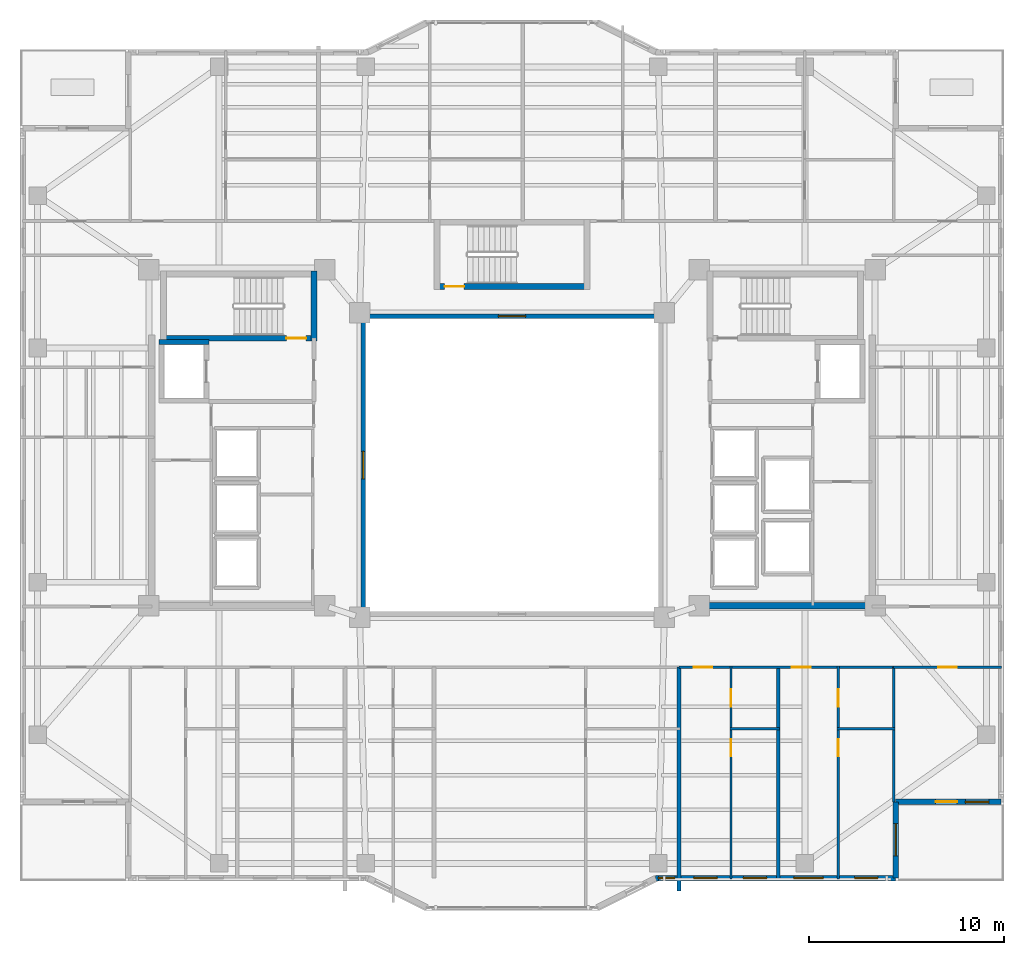
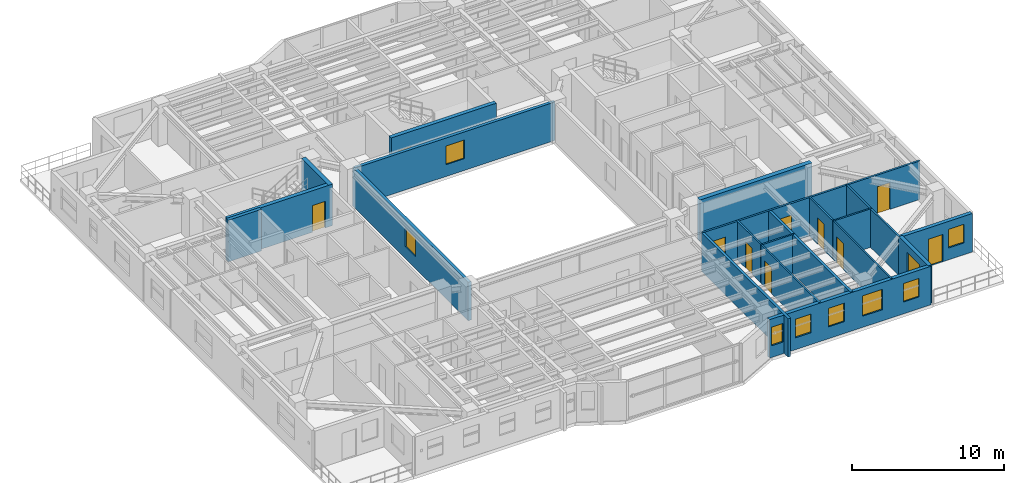
# One storey, part 8 of 17: 21 walls, 10 doors, 9 windows, 19 openings.
"""IFC4 building model written with IfcOpenShell, lengths in metres."""

from ifc_helpers import new_model, si_unit, direction, frame, frame_2d, origin, place, context, subcontext, project, spatial, rectangle, extrude, material, layer, layer_set, type_object, element, fill, save


model = new_model("IFC4")

# Units and contexts
model_context = context("Model", 3, precision=1e-05, world=origin(), true_north=direction((0.0, 1.0)))
body_context = subcontext(model_context, "Body", "Model", "MODEL_VIEW")
ifc_project = project(units=[si_unit("LENGTHUNIT", "METRE"), si_unit("AREAUNIT", "SQUARE_METRE"), si_unit("VOLUMEUNIT", "CUBIC_METRE"), si_unit("PLANEANGLEUNIT", "RADIAN"), si_unit("MASSUNIT", "GRAM", prefix="KILO")], contexts=[model_context])

# Site, building, storey
site_placement = place(None, origin())
site = spatial("IfcSite", under=ifc_project, at=site_placement, CompositionType="ELEMENT")
building_placement = place(site_placement, origin())
building = spatial("IfcBuilding", under=site, at=building_placement, Name="Tarnavaz Court Tower", CompositionType="ELEMENT")
storey_placement = place(building_placement, frame((0.0, 0.0, 132.60009765625)))
storey = spatial("IfcBuildingStorey", under=building, at=storey_placement, Name="L35", CompositionType="ELEMENT", Elevation=132.60009765625)

# Wall
ifc_material_1 = material(Name="Concrete C50/60", Category="concrete")
ifc_layer_1 = layer(ifc_material_1, 0.25)
ifc_layer_set_1 = layer_set([ifc_layer_1], Name="Concrete C50/60")
wall_type_1 = type_object("IfcWallType", Name="WL-CORE-250-C50", PredefinedType="SHEAR", material=ifc_layer_set_1)
wall_1_placement = place(storey_placement, frame((-18.074951171875, 6.300048828125, 0.0), z_axis=(0.0, 0.0, 1.0), x_axis=(1.0, 0.0, 0.0)))
element("IfcWall", 1, at=wall_1_placement, inside=storey, type_object=wall_type_1, Name="L35 Lift FL-W1 Shaft Wall 020", PredefinedType="SHEAR", context=body_context, shape_type="SweptSolid", body=[
    extrude(rectangle(XDim=2.550048828125, YDim=0.25, at=frame_2d((1.27490234375, 0.0))), origin(), (0.0, 0.0, 1.0), 3.349853515625),
])

# Wall, opening, door
ifc_layer_2 = layer(ifc_material_1, 0.300048828125)
ifc_layer_set_2 = layer_set([ifc_layer_2], Name="Concrete C50/60")
wall_type_2 = type_object("IfcWallType", Name="WL-CORE-300-C50", PredefinedType="SHEAR", material=ifc_layer_set_2)
wall_2_placement = place(storey_placement, frame((-18.0, 6.5, 0.0), z_axis=(0.0, 0.0, 1.0), x_axis=(1.0, 0.0, 0.0)))
wall_2 = element("IfcWall", 2, at=wall_2_placement, inside=storey, type_object=wall_type_2, Name="L35 West Stair Core Wall 002", PredefinedType="SHEAR", context=body_context, shape_type="SweptSolid", body=[
    extrude(rectangle(XDim=8.0, YDim=0.300048828125, at=frame_2d((4.0, 0.0))), origin(), (0.0, 0.0, 1.0), 3.349853515625),
])
opening_1_placement = place(wall_2_placement, frame((6.449951171875, 0.0, 0.0)))
opening_1 = element("IfcOpeningElement", 3, at=opening_1_placement, cuts=wall_2, Name="Opening D01", PredefinedType="OPENING", context=body_context, shape_type="SweptSolid", body=[
    extrude(rectangle(XDim=1.0, YDim=2.14990234375, at=frame_2d((0.5, 1.074951171875))), frame((0.0, 0.159912109375, 0.0), z_axis=(0.0, -1.0, 0.0), x_axis=(1.0, 0.0, 0.0)), (0.0, 0.0, 1.0), 0.320068359375),
])
ifc_material_2 = material(Name="Fire-Rated Hardwood Timber Core", Category="wood")
door_type_1 = type_object("IfcDoorType", Name="DR-FD90-1000", OperationType="NOTDEFINED", PredefinedType="DOOR", material=ifc_material_2)
door_1_placement = place(opening_1_placement, origin())
door_1 = element("IfcDoor", 4, at=door_1_placement, inside=storey, type_object=door_type_1, Name="L35 Stair ST-W1 Exit Door", OperationType="SINGLE_SWING_LEFT", OverallHeight=2.14990234375, OverallWidth=1.0, PredefinedType="DOOR", context=body_context, shape_type="SweptSolid", body=[
    extrude(rectangle(XDim=1.0, YDim=2.14990234375, at=frame_2d((0.5, 1.074951171875))), frame((0.0, 0.02490234375, 0.0), z_axis=(0.0, -1.0, 0.0), x_axis=(1.0, 0.0, 0.0)), (0.0, 0.0, 1.0), 0.050048828125),
])
fill(opening_1, door_1)

# Wall
wall_3_placement = place(storey_placement, frame((-10.14990234375, 6.35009765625, 0.0), z_axis=(0.0, 0.0, 1.0), x_axis=(0.0, 1.0, 0.0)))
element("IfcWall", 5, at=wall_3_placement, inside=storey, type_object=wall_type_2, Name="L35 West Stair Core Wall 004", PredefinedType="SHEAR", context=body_context, shape_type="SweptSolid", body=[
    extrude(rectangle(XDim=3.58984375, YDim=0.300048828125, at=frame_2d((1.794921875, 0.0))), origin(), (0.0, 0.0, 1.0), 3.349853515625),
])

# Wall, opening, door
wall_4_placement = place(storey_placement, frame((-4.0, 9.14990234375, 0.0), z_axis=(0.0, 0.0, 1.0), x_axis=(1.0, 0.0, 0.0)))
wall_4 = element("IfcWall", 6, at=wall_4_placement, inside=storey, type_object=wall_type_2, Name="L35 North Stair Core Wall 010", PredefinedType="SHEAR", context=body_context, shape_type="SweptSolid", body=[
    extrude(rectangle(XDim=8.0, YDim=0.300048828125, at=frame_2d((4.0, 0.0))), origin(), (0.0, 0.0, 1.0), 3.349853515625),
])
opening_2_placement = place(wall_4_placement, frame((0.550048828125, 0.0, 0.0)))
opening_2 = element("IfcOpeningElement", 7, at=opening_2_placement, cuts=wall_4, Name="Opening D01", PredefinedType="OPENING", context=body_context, shape_type="SweptSolid", body=[
    extrude(rectangle(XDim=1.0, YDim=2.14990234375, at=frame_2d((0.5, 1.074951171875))), frame((0.0, 0.159912109375, 0.0), z_axis=(0.0, -1.0, 0.0), x_axis=(1.0, 0.0, 0.0)), (0.0, 0.0, 1.0), 0.320068359375),
])
door_2_placement = place(opening_2_placement, origin())
door_2 = element("IfcDoor", 8, at=door_2_placement, inside=storey, type_object=door_type_1, Name="L35 Stair ST-N1 Exit Door", OperationType="SINGLE_SWING_LEFT", OverallHeight=2.14990234375, OverallWidth=1.0, PredefinedType="DOOR", context=body_context, shape_type="SweptSolid", body=[
    extrude(rectangle(XDim=1.0, YDim=2.14990234375, at=frame_2d((0.5, 1.074951171875))), frame((0.0, 0.02490234375, 0.0), z_axis=(0.0, -1.0, 0.0), x_axis=(1.0, 0.0, 0.0)), (0.0, 0.0, 1.0), 0.050048828125),
])
fill(opening_2, door_2)

# Wall
ifc_layer_3 = layer(ifc_material_1, 0.35009765625)
ifc_layer_set_3 = layer_set([ifc_layer_3], Name="Concrete C50/60")
wall_type_3 = type_object("IfcWallType", Name="WL-CORE-350-C50", PredefinedType="SHEAR", material=ifc_layer_set_3)
wall_5_placement = place(storey_placement, frame((10.074951171875, -7.199951171875, 0.0), z_axis=(0.0, 0.0, 1.0), x_axis=(1.0, 0.0, 0.0)))
element("IfcWall", 9, at=wall_5_placement, inside=storey, type_object=wall_type_3, Name="L35 East Core South Shear Wall 060", PredefinedType="SHEAR", context=body_context, shape_type="SweptSolid", body=[
    extrude(rectangle(XDim=8.550048828125, YDim=0.35009765625, at=frame_2d((4.27490234375, 0.0))), origin(), (0.0, 0.0, 1.0), 3.349853515625),
])

# Wall, openings, door, window
ifc_material_3 = material(Name="Precast Concrete C40/50", Category="concrete")
ifc_layer_4 = layer(ifc_material_3, 0.280029296875)
ifc_layer_set_4 = layer_set([ifc_layer_4], Name="Precast Concrete C40/50")
wall_type_4 = type_object("IfcWallType", Name="WL-EXT-280", PredefinedType="SOLIDWALL", material=ifc_layer_set_4)
wall_6_placement = place(storey_placement, frame((25.050048828125, -17.25, 0.0), z_axis=(0.0, 0.0, 1.0), x_axis=(-1.0, 0.0, 0.0)))
wall_6 = element("IfcWall", 10, at=wall_6_placement, inside=storey, type_object=wall_type_4, Name="L35 Exterior Terracotta Facade Wall 13", PredefinedType="SOLIDWALL", context=body_context, shape_type="SweptSolid", body=[
    extrude(rectangle(XDim=5.400146484375, YDim=0.280029296875, at=frame_2d((2.7001953125, 0.0))), origin(), (0.0, 0.0, 1.0), 3.099853515625),
])
opening_3_placement = place(wall_6_placement, frame((2.25, 0.0, 0.0)))
opening_3 = element("IfcOpeningElement", 11, at=opening_3_placement, cuts=wall_6, Name="Opening TD1", PredefinedType="OPENING", context=body_context, shape_type="SweptSolid", body=[
    extrude(rectangle(XDim=1.10009765625, YDim=2.199951171875, at=frame_2d((0.550048828125, 1.10009765625))), frame((0.0, 0.14990234375, 0.0), z_axis=(0.0, -1.0, 0.0), x_axis=(1.0, 0.0, 0.0)), (0.0, 0.0, 1.0), 0.300048828125),
])
opening_4_placement = place(wall_6_placement, frame((0.6298828125, 0.0, 0.949951171875)))
opening_4 = element("IfcOpeningElement", 12, at=opening_4_placement, cuts=wall_6, Name="Opening W05", PredefinedType="OPENING", context=body_context, shape_type="SweptSolid", body=[
    extrude(rectangle(XDim=1.199951171875, YDim=1.5, at=frame_2d((0.60009765625, 0.75))), frame((0.0, 0.14990234375, 0.0), z_axis=(0.0, -1.0, 0.0), x_axis=(1.0, 0.0, 0.0)), (0.0, 0.0, 1.0), 0.300048828125),
])
ifc_material_4 = material(Name="Thermally Broken Aluminium and Laminated Glass", Category="aluminium")
door_type_2 = type_object("IfcDoorType", Name="DR-TERR-1100", OperationType="NOTDEFINED", PredefinedType="DOOR", material=ifc_material_4)
door_3_placement = place(opening_3_placement, origin())
door_3 = element("IfcDoor", 13, at=door_3_placement, inside=storey, type_object=door_type_2, Name="L35 Sky Terrace Access Door 3", OperationType="SINGLE_SWING_LEFT", OverallHeight=2.199951171875, OverallWidth=1.10009765625, PredefinedType="DOOR", context=body_context, shape_type="SweptSolid", body=[
    extrude(rectangle(XDim=1.10009765625, YDim=2.199951171875, at=frame_2d((0.550048828125, 1.10009765625))), frame((0.0, 0.02490234375, 0.0), z_axis=(0.0, -1.0, 0.0), x_axis=(1.0, 0.0, 0.0)), (0.0, 0.0, 1.0), 0.050048828125),
])
fill(opening_3, door_3)
ifc_material_5 = material(Name="Double-Glazed Solar Low-E Glass", Category="glass")
window_type_1 = type_object("IfcWindowType", Name="WN-APT-1200", PartitioningType="SINGLE_PANEL", PredefinedType="WINDOW", material=ifc_material_5)
window_1_placement = place(opening_4_placement, origin())
window_1 = element("IfcWindow", 14, at=window_1_placement, inside=storey, type_object=window_type_1, Name="L35 South-East Corner Reading Room Window", OverallHeight=1.5, OverallWidth=1.199951171875, PartitioningType="SINGLE_PANEL", PredefinedType="WINDOW", context=body_context, shape_type="SweptSolid", body=[
    extrude(rectangle(XDim=1.199951171875, YDim=1.5, at=frame_2d((0.60009765625, 0.75))), frame((0.0, 0.030029296875, 0.0), z_axis=(0.0, -1.0, 0.0), x_axis=(1.0, 0.0, 0.0)), (0.0, 0.0, 1.0), 0.06005859375),
])
fill(opening_4, window_1)

# Wall, opening, window
wall_7_placement = place(storey_placement, frame((19.64990234375, -17.25, 0.0), z_axis=(0.0, 0.0, 1.0), x_axis=(0.0, -1.0, 0.0)))
wall_7 = element("IfcWall", 15, at=wall_7_placement, inside=storey, type_object=wall_type_4, Name="L35 Exterior Terracotta Facade Wall 14", PredefinedType="SOLIDWALL", context=body_context, shape_type="SweptSolid", body=[
    extrude(rectangle(XDim=3.89990234375, YDim=0.280029296875, at=frame_2d((1.949951171875, 0.0))), origin(), (0.0, 0.0, 1.0), 3.099853515625),
])
opening_5_placement = place(wall_7_placement, frame((1.107177734375, 0.0, 0.89990234375)))
opening_5 = element("IfcOpeningElement", 16, at=opening_5_placement, cuts=wall_7, Name="Opening W02", PredefinedType="OPENING", context=body_context, shape_type="SweptSolid", body=[
    extrude(rectangle(XDim=1.64990234375, YDim=1.60009765625, at=frame_2d((0.824951171875, 0.800048828125))), frame((0.0, 0.14990234375, 0.0), z_axis=(0.0, -1.0, 0.0), x_axis=(1.0, 0.0, 0.0)), (0.0, 0.0, 1.0), 0.300048828125),
])
window_type_2 = type_object("IfcWindowType", Name="WN-APT-1650", PartitioningType="DOUBLE_PANEL_VERTICAL", PredefinedType="WINDOW", material=ifc_material_5)
window_2_placement = place(opening_5_placement, origin())
window_2 = element("IfcWindow", 17, at=window_2_placement, inside=storey, type_object=window_type_2, Name="L35 Flat 08 Kitchen Window", OverallHeight=1.60009765625, OverallWidth=1.64990234375, PartitioningType="SINGLE_PANEL", PredefinedType="WINDOW", context=body_context, shape_type="SweptSolid", body=[
    extrude(rectangle(XDim=1.64990234375, YDim=1.60009765625, at=frame_2d((0.824951171875, 0.800048828125))), frame((0.0, 0.030029296875, 0.0), z_axis=(0.0, -1.0, 0.0), x_axis=(1.0, 0.0, 0.0)), (0.0, 0.0, 1.0), 0.06005859375),
])
fill(opening_5, window_2)

# Wall, openings, windows
wall_8_placement = place(storey_placement, frame((19.64990234375, -21.14990234375, 0.0), z_axis=(0.0, 0.0, 1.0), x_axis=(-1.0, 0.0, 0.0)))
wall_8 = element("IfcWall", 18, at=wall_8_placement, inside=storey, type_object=wall_type_4, Name="L35 Exterior Terracotta Facade Wall 15", PredefinedType="SOLIDWALL", context=body_context, shape_type="SweptSolid", body=[
    extrude(rectangle(XDim=12.2998046875, YDim=0.280029296875, at=frame_2d((6.14990234375, 0.0))), origin(), (0.0, 0.0, 1.0), 3.099853515625),
])
opening_6_placement = place(wall_8_placement, frame((0.906005859375, 0.0, 0.949951171875)))
opening_6 = element("IfcOpeningElement", 19, at=opening_6_placement, cuts=wall_8, Name="Opening W05", PredefinedType="OPENING", context=body_context, shape_type="SweptSolid", body=[
    extrude(rectangle(XDim=1.199951171875, YDim=1.5, at=frame_2d((0.60009765625, 0.75))), frame((0.0, 0.14990234375, 0.0), z_axis=(0.0, -1.0, 0.0), x_axis=(1.0, 0.0, 0.0)), (0.0, 0.0, 1.0), 0.300048828125),
])
opening_7_placement = place(wall_8_placement, frame((3.71826171875, 0.0, 0.89990234375)))
opening_7 = element("IfcOpeningElement", 20, at=opening_7_placement, cuts=wall_8, Name="Opening W03", PredefinedType="OPENING", context=body_context, shape_type="SweptSolid", body=[
    extrude(rectangle(XDim=1.5, YDim=1.64990234375, at=frame_2d((0.75, 0.824951171875))), frame((0.0, 0.14990234375, 0.0), z_axis=(0.0, -1.0, 0.0), x_axis=(1.0, 0.0, 0.0)), (0.0, 0.0, 1.0), 0.300048828125),
])
opening_8_placement = place(wall_8_placement, frame((6.604248046875, 0.0, 0.949951171875)))
opening_8 = element("IfcOpeningElement", 21, at=opening_8_placement, cuts=wall_8, Name="Opening W05", PredefinedType="OPENING", context=body_context, shape_type="SweptSolid", body=[
    extrude(rectangle(XDim=1.199951171875, YDim=1.5, at=frame_2d((0.60009765625, 0.75))), frame((0.0, 0.14990234375, 0.0), z_axis=(0.0, -1.0, 0.0), x_axis=(1.0, 0.0, 0.0)), (0.0, 0.0, 1.0), 0.300048828125),
])
opening_9_placement = place(wall_8_placement, frame((9.1396484375, 0.0, 0.949951171875)))
opening_9 = element("IfcOpeningElement", 22, at=opening_9_placement, cuts=wall_8, Name="Opening W05", PredefinedType="OPENING", context=body_context, shape_type="SweptSolid", body=[
    extrude(rectangle(XDim=1.199951171875, YDim=1.5, at=frame_2d((0.60009765625, 0.75))), frame((0.0, 0.14990234375, 0.0), z_axis=(0.0, -1.0, 0.0), x_axis=(1.0, 0.0, 0.0)), (0.0, 0.0, 1.0), 0.300048828125),
])
opening_10_placement = place(wall_8_placement, frame((11.302978515625, 0.0, 0.949951171875)))
opening_10 = element("IfcOpeningElement", 23, at=opening_10_placement, cuts=wall_8, Name="Opening W15", PredefinedType="OPENING", context=body_context, shape_type="SweptSolid", body=[
    extrude(rectangle(XDim=0.85009765625, YDim=1.5, at=frame_2d((0.425048828125, 0.75))), frame((0.0, 0.14990234375, 0.0), z_axis=(0.0, -1.0, 0.0), x_axis=(1.0, 0.0, 0.0)), (0.0, 0.0, 1.0), 0.300048828125),
])
window_3_placement = place(opening_6_placement, origin())
window_3 = element("IfcWindow", 24, at=window_3_placement, inside=storey, type_object=window_type_1, Name="L35 Flat 08 Kitchen Window", OverallHeight=1.5, OverallWidth=1.199951171875, PartitioningType="SINGLE_PANEL", PredefinedType="WINDOW", context=body_context, shape_type="SweptSolid", body=[
    extrude(rectangle(XDim=1.199951171875, YDim=1.5, at=frame_2d((0.60009765625, 0.75))), frame((0.0, 0.030029296875, 0.0), z_axis=(0.0, -1.0, 0.0), x_axis=(1.0, 0.0, 0.0)), (0.0, 0.0, 1.0), 0.06005859375),
])
fill(opening_6, window_3)
window_4_placement = place(opening_8_placement, origin())
window_4 = element("IfcWindow", 25, at=window_4_placement, inside=storey, type_object=window_type_1, Name="L35 Flat 07 Kitchen Window", OverallHeight=1.5, OverallWidth=1.199951171875, PartitioningType="SINGLE_PANEL", PredefinedType="WINDOW", context=body_context, shape_type="SweptSolid", body=[
    extrude(rectangle(XDim=1.199951171875, YDim=1.5, at=frame_2d((0.60009765625, 0.75))), frame((0.0, 0.030029296875, 0.0), z_axis=(0.0, -1.0, 0.0), x_axis=(1.0, 0.0, 0.0)), (0.0, 0.0, 1.0), 0.06005859375),
])
fill(opening_8, window_4)
window_5_placement = place(opening_9_placement, origin())
window_5 = element("IfcWindow", 26, at=window_5_placement, inside=storey, type_object=window_type_1, Name="L35 Flat 07 Studio Living and Sleeping Room Window", OverallHeight=1.5, OverallWidth=1.199951171875, PartitioningType="SINGLE_PANEL", PredefinedType="WINDOW", context=body_context, shape_type="SweptSolid", body=[
    extrude(rectangle(XDim=1.199951171875, YDim=1.5, at=frame_2d((0.60009765625, 0.75))), frame((0.0, 0.030029296875, 0.0), z_axis=(0.0, -1.0, 0.0), x_axis=(1.0, 0.0, 0.0)), (0.0, 0.0, 1.0), 0.06005859375),
])
fill(opening_9, window_5)
window_type_3 = type_object("IfcWindowType", Name="WN-APT-1500", PartitioningType="DOUBLE_PANEL_VERTICAL", PredefinedType="WINDOW", material=ifc_material_5)
window_6_placement = place(opening_7_placement, origin())
window_6 = element("IfcWindow", 27, at=window_6_placement, inside=storey, type_object=window_type_3, Name="L35 Flat 08 Studio Living and Sleeping Room Window", OverallHeight=1.64990234375, OverallWidth=1.5, PartitioningType="SINGLE_PANEL", PredefinedType="WINDOW", context=body_context, shape_type="SweptSolid", body=[
    extrude(rectangle(XDim=1.5, YDim=1.64990234375, at=frame_2d((0.75, 0.824951171875))), frame((0.0, 0.030029296875, 0.0), z_axis=(0.0, -1.0, 0.0), x_axis=(1.0, 0.0, 0.0)), (0.0, 0.0, 1.0), 0.06005859375),
])
fill(opening_7, window_6)
window_type_4 = type_object("IfcWindowType", Name="WN-APT-850", PartitioningType="SINGLE_PANEL", PredefinedType="WINDOW", material=ifc_material_5)
window_7_placement = place(opening_10_placement, origin())
window_7 = element("IfcWindow", 28, at=window_7_placement, inside=storey, type_object=window_type_4, Name="L35 Flat 10 Kitchen Window", OverallHeight=1.5, OverallWidth=0.85009765625, PartitioningType="SINGLE_PANEL", PredefinedType="WINDOW", context=body_context, shape_type="SweptSolid", body=[
    extrude(rectangle(XDim=0.85009765625, YDim=1.5, at=frame_2d((0.425048828125, 0.75))), frame((0.0, 0.030029296875, 0.0), z_axis=(0.0, -1.0, 0.0), x_axis=(1.0, 0.0, 0.0)), (0.0, 0.0, 1.0), 0.06005859375),
])
fill(opening_10, window_7)

# Wall, openings, doors
ifc_material_6 = material(Name="Gypsum Fire-Board on Acoustic Metal Stud", Category="masonry")
ifc_layer_5 = layer(ifc_material_6, 0.14990234375)
ifc_layer_set_5 = layer_set([ifc_layer_5], Name="Gypsum Fire-Board on Acoustic Metal Stud")
wall_type_5 = type_object("IfcWallType", Name="WL-FIRE-150", PredefinedType="PARTITIONING", material=ifc_layer_set_5)
wall_9_placement = place(storey_placement, frame((8.550048828125, -10.35009765625, 0.0), z_axis=(0.0, 0.0, 1.0), x_axis=(1.0, 0.0, 0.0)))
wall_9 = element("IfcWall", 29, at=wall_9_placement, inside=storey, type_object=wall_type_5, Name="L35 SE Horseshoe Wall 074", PredefinedType="PARTITIONING", context=body_context, shape_type="SweptSolid", body=[
    extrude(rectangle(XDim=11.0, YDim=0.14990234375, at=frame_2d((5.5, 0.0))), origin(), (0.0, 0.0, 1.0), 3.099853515625),
])
opening_11_placement = place(wall_9_placement, frame((0.75, 0.0, 0.0)))
opening_11 = element("IfcOpeningElement", 30, at=opening_11_placement, cuts=wall_9, Name="Opening D06", PredefinedType="OPENING", context=body_context, shape_type="SweptSolid", body=[
    extrude(rectangle(XDim=0.9599609375, YDim=2.14990234375, at=frame_2d((0.47998046875, 1.074951171875))), frame((0.0, 0.0849609375, 0.0), z_axis=(0.0, -1.0, 0.0), x_axis=(1.0, 0.0, 0.0)), (0.0, 0.0, 1.0), 0.169921875),
])
opening_12_placement = place(wall_9_placement, frame((5.787109375, 0.0, 0.0)))
opening_12 = element("IfcOpeningElement", 31, at=opening_12_placement, cuts=wall_9, Name="Opening D06", PredefinedType="OPENING", context=body_context, shape_type="SweptSolid", body=[
    extrude(rectangle(XDim=0.9599609375, YDim=2.14990234375, at=frame_2d((0.47998046875, 1.074951171875))), frame((0.0, 0.0849609375, 0.0), z_axis=(0.0, -1.0, 0.0), x_axis=(1.0, 0.0, 0.0)), (0.0, 0.0, 1.0), 0.169921875),
])
door_type_3 = type_object("IfcDoorType", Name="DR-FD60-950", OperationType="NOTDEFINED", PredefinedType="DOOR", material=ifc_material_2)
door_4_placement = place(opening_11_placement, origin())
door_4 = element("IfcDoor", 32, at=door_4_placement, inside=storey, type_object=door_type_3, Name="L35 Flat 07 Entrance Door", OperationType="SINGLE_SWING_LEFT", OverallHeight=2.14990234375, OverallWidth=0.9599609375, PredefinedType="DOOR", context=body_context, shape_type="SweptSolid", body=[
    extrude(rectangle(XDim=0.9599609375, YDim=2.14990234375, at=frame_2d((0.47998046875, 1.074951171875))), frame((0.0, 0.02490234375, 0.0), z_axis=(0.0, -1.0, 0.0), x_axis=(1.0, 0.0, 0.0)), (0.0, 0.0, 1.0), 0.050048828125),
])
fill(opening_11, door_4)
door_5_placement = place(opening_12_placement, origin())
door_5 = element("IfcDoor", 33, at=door_5_placement, inside=storey, type_object=door_type_3, Name="L35 Flat 08 Entrance Door", OperationType="SINGLE_SWING_RIGHT", OverallHeight=2.14990234375, OverallWidth=0.9599609375, PredefinedType="DOOR", context=body_context, shape_type="SweptSolid", body=[
    extrude(rectangle(XDim=0.9599609375, YDim=2.14990234375, at=frame_2d((0.47998046875, 1.074951171875))), frame((0.0, 0.02490234375, 0.0), z_axis=(0.0, -1.0, 0.0), x_axis=(1.0, 0.0, 0.0)), (0.0, 0.0, 1.0), 0.050048828125),
])
fill(opening_12, door_5)

# Wall, opening, door
wall_10_placement = place(storey_placement, frame((19.550048828125, -10.35009765625, 0.0), z_axis=(0.0, 0.0, 1.0), x_axis=(1.0, 0.0, 0.0)))
wall_10 = element("IfcWall", 34, at=wall_10_placement, inside=storey, type_object=wall_type_5, Name="L35 Interior Partition 125", PredefinedType="PARTITIONING", context=body_context, shape_type="SweptSolid", body=[
    extrude(rectangle(XDim=5.530029296875, YDim=0.14990234375, at=frame_2d((2.76513671875, 0.0))), origin(), (0.0, 0.0, 1.0), 3.099853515625),
])
opening_13_placement = place(wall_10_placement, frame((2.2900390625, 0.0, 0.0)))
opening_13 = element("IfcOpeningElement", 35, at=opening_13_placement, cuts=wall_10, Name="Opening D13", PredefinedType="OPENING", context=body_context, shape_type="SweptSolid", body=[
    extrude(rectangle(XDim=0.949951171875, YDim=2.14990234375, at=frame_2d((0.47509765625, 1.074951171875))), frame((0.0, 0.0849609375, 0.0), z_axis=(0.0, -1.0, 0.0), x_axis=(1.0, 0.0, 0.0)), (0.0, 0.0, 1.0), 0.169921875),
])
ifc_material_7 = material(Name="Engineered Oak Timber", Category="wood")
door_type_4 = type_object("IfcDoorType", Name="DR-INT-950", OperationType="NOTDEFINED", PredefinedType="DOOR", material=ifc_material_7)
door_6_placement = place(opening_13_placement, origin())
door_6 = element("IfcDoor", 36, at=door_6_placement, inside=storey, type_object=door_type_4, Name="L35 SE Reading Room Door", OperationType="SINGLE_SWING_RIGHT", OverallHeight=2.14990234375, OverallWidth=0.949951171875, PredefinedType="DOOR", context=body_context, shape_type="SweptSolid", body=[
    extrude(rectangle(XDim=0.949951171875, YDim=2.14990234375, at=frame_2d((0.47509765625, 1.074951171875))), frame((0.0, 0.02490234375, 0.0), z_axis=(0.0, -1.0, 0.0), x_axis=(1.0, 0.0, 0.0)), (0.0, 0.0, 1.0), 0.050048828125),
])
fill(opening_13, door_6)

# Walls
ifc_material_8 = material(Name="Autoclaved Aerated Concrete Blockwork", Category="masonry")
ifc_layer_6 = layer(ifc_material_8, 0.199951171875)
ifc_layer_set_6 = layer_set([ifc_layer_6], Name="Autoclaved Aerated Concrete Blockwork")
wall_type_6 = type_object("IfcWallType", Name="WL-FIRE-200", PredefinedType="SOLIDWALL", material=ifc_layer_set_6)
wall_11_placement = place(storey_placement, frame((13.636962890625, -21.199951171875, 0.0), z_axis=(0.0, 0.0, 1.0), x_axis=(0.0, 1.0, 0.0)))
element("IfcWall", 37, at=wall_11_placement, inside=storey, type_object=wall_type_6, Name="L35 Party Wall 097", PredefinedType="SOLIDWALL", context=body_context, shape_type="SweptSolid", body=[
    extrude(rectangle(XDim=10.849853515625, YDim=0.199951171875, at=frame_2d((5.4248046875, 0.0))), origin(), (0.0, 0.0, 1.0), 3.099853515625),
])
wall_12_placement = place(storey_placement, frame((8.550048828125, -21.803955078125, 0.0), z_axis=(0.0, 0.0, 1.0), x_axis=(0.0, 1.0, 0.0)))
element("IfcWall", 38, at=wall_12_placement, inside=storey, type_object=wall_type_6, Name="L35 Party Wall 105", PredefinedType="SOLIDWALL", context=body_context, shape_type="SweptSolid", body=[
    extrude(rectangle(XDim=11.453857421875, YDim=0.199951171875, at=frame_2d((5.72705078125, 0.0))), origin(), (0.0, 0.0, 1.0), 3.099853515625),
])

# Wall, opening, door
ifc_material_9 = material(Name="Moisture-Resistant Gypsum Board Partition", Category="masonry")
ifc_layer_7 = layer(ifc_material_9, 0.1201171875)
ifc_layer_set_7 = layer_set([ifc_layer_7], Name="Moisture-Resistant Gypsum Board Partition")
wall_type_7 = type_object("IfcWallType", Name="WL-PART-120", PredefinedType="PARTITIONING", material=ifc_layer_set_7)
wall_13_placement = place(storey_placement, frame((11.217041015625, -21.199951171875, 0.0), z_axis=(0.0, 0.0, 1.0), x_axis=(0.0, 1.0, 0.0)))
wall_13 = element("IfcWall", 39, at=wall_13_placement, inside=storey, type_object=wall_type_7, Name="L35 Interior Partition 098", PredefinedType="PARTITIONING", context=body_context, shape_type="SweptSolid", body=[
    extrude(rectangle(XDim=7.68994140625, YDim=0.1201171875, at=frame_2d((3.844970703125, 0.0))), origin(), (0.0, 0.0, 1.0), 3.099853515625),
])
opening_14_placement = place(wall_13_placement, frame((6.2900390625, 0.0, 0.0)))
opening_14 = element("IfcOpeningElement", 40, at=opening_14_placement, cuts=wall_13, Name="Opening D14", PredefinedType="OPENING", context=body_context, shape_type="SweptSolid", body=[
    extrude(rectangle(XDim=0.8798828125, YDim=2.10009765625, at=frame_2d((0.43994140625, 1.050048828125))), frame((0.0, 0.070068359375, 0.0), z_axis=(0.0, -1.0, 0.0), x_axis=(1.0, 0.0, 0.0)), (0.0, 0.0, 1.0), 0.14013671875),
])
door_type_5 = type_object("IfcDoorType", Name="DR-INT-900", OperationType="NOTDEFINED", PredefinedType="DOOR", material=ifc_material_7)
door_7_placement = place(opening_14_placement, origin())
door_7 = element("IfcDoor", 41, at=door_7_placement, inside=storey, type_object=door_type_5, Name="L35 Flat 07 Kitchen Door", OperationType="SINGLE_SWING_RIGHT", OverallHeight=2.10009765625, OverallWidth=0.8798828125, PredefinedType="DOOR", context=body_context, shape_type="SweptSolid", body=[
    extrude(rectangle(XDim=0.8798828125, YDim=2.10009765625, at=frame_2d((0.43994140625, 1.050048828125))), frame((0.0, 0.02490234375, 0.0), z_axis=(0.0, -1.0, 0.0), x_axis=(1.0, 0.0, 0.0)), (0.0, 0.0, 1.0), 0.050048828125),
])
fill(opening_14, door_7)

wall_14_placement = place(storey_placement, frame((11.217041015625, -13.510009765625, 0.0), z_axis=(0.0, 0.0, 1.0), x_axis=(0.0, 1.0, 0.0)))
wall_14 = element("IfcWall", 42, at=wall_14_placement, inside=storey, type_object=wall_type_7, Name="L35 Interior Partition 099", PredefinedType="PARTITIONING", context=body_context, shape_type="SweptSolid", body=[
    extrude(rectangle(XDim=3.219970703125, YDim=0.1201171875, at=frame_2d((1.60986328125, 0.0))), origin(), (0.0, 0.0, 1.0), 3.099853515625),
])
opening_15_placement = place(wall_14_placement, frame((1.139892578125, 0.0, 0.0)))
opening_15 = element("IfcOpeningElement", 43, at=opening_15_placement, cuts=wall_14, Name="Opening D14", PredefinedType="OPENING", context=body_context, shape_type="SweptSolid", body=[
    extrude(rectangle(XDim=0.8798828125, YDim=2.10009765625, at=frame_2d((0.43994140625, 1.050048828125))), frame((0.0, 0.070068359375, 0.0), z_axis=(0.0, -1.0, 0.0), x_axis=(1.0, 0.0, 0.0)), (0.0, 0.0, 1.0), 0.14013671875),
])
door_8_placement = place(opening_15_placement, origin())
door_8 = element("IfcDoor", 44, at=door_8_placement, inside=storey, type_object=door_type_5, Name="L35 Flat 07 Bathroom Door", OperationType="SINGLE_SWING_LEFT", OverallHeight=2.10009765625, OverallWidth=0.8798828125, PredefinedType="DOOR", context=body_context, shape_type="SweptSolid", body=[
    extrude(rectangle(XDim=0.8798828125, YDim=2.10009765625, at=frame_2d((0.43994140625, 1.050048828125))), frame((0.0, 0.02490234375, 0.0), z_axis=(0.0, -1.0, 0.0), x_axis=(1.0, 0.0, 0.0)), (0.0, 0.0, 1.0), 0.050048828125),
])
fill(opening_15, door_8)

# Wall
wall_15_placement = place(storey_placement, frame((11.156982421875, -13.510009765625, 0.0), z_axis=(0.0, 0.0, 1.0), x_axis=(1.0, 0.0, 0.0)))
element("IfcWall", 45, at=wall_15_placement, inside=storey, type_object=wall_type_7, Name="L35 Interior Partition 100", PredefinedType="PARTITIONING", context=body_context, shape_type="SweptSolid", body=[
    extrude(rectangle(XDim=2.5400390625, YDim=0.1201171875, at=frame_2d((1.27001953125, 0.0))), origin(), (0.0, 0.0, 1.0), 3.099853515625),
])

# Wall, opening, door
wall_16_placement = place(storey_placement, frame((16.708984375, -21.199951171875, 0.0), z_axis=(0.0, 0.0, 1.0), x_axis=(0.0, 1.0, 0.0)))
wall_16 = element("IfcWall", 46, at=wall_16_placement, inside=storey, type_object=wall_type_7, Name="L35 Interior Partition 101", PredefinedType="PARTITIONING", context=body_context, shape_type="SweptSolid", body=[
    extrude(rectangle(XDim=7.68994140625, YDim=0.1201171875, at=frame_2d((3.844970703125, 0.0))), origin(), (0.0, 0.0, 1.0), 3.099853515625),
])
opening_16_placement = place(wall_16_placement, frame((6.2900390625, 0.0, 0.0)))
opening_16 = element("IfcOpeningElement", 47, at=opening_16_placement, cuts=wall_16, Name="Opening D14", PredefinedType="OPENING", context=body_context, shape_type="SweptSolid", body=[
    extrude(rectangle(XDim=0.8798828125, YDim=2.10009765625, at=frame_2d((0.43994140625, 1.050048828125))), frame((0.0, 0.070068359375, 0.0), z_axis=(0.0, -1.0, 0.0), x_axis=(1.0, 0.0, 0.0)), (0.0, 0.0, 1.0), 0.14013671875),
])
door_9_placement = place(opening_16_placement, origin())
door_9 = element("IfcDoor", 48, at=door_9_placement, inside=storey, type_object=door_type_5, Name="L35 Flat 08 Kitchen Door", OperationType="SINGLE_SWING_LEFT", OverallHeight=2.10009765625, OverallWidth=0.8798828125, PredefinedType="DOOR", context=body_context, shape_type="SweptSolid", body=[
    extrude(rectangle(XDim=0.8798828125, YDim=2.10009765625, at=frame_2d((0.43994140625, 1.050048828125))), frame((0.0, 0.02490234375, 0.0), z_axis=(0.0, -1.0, 0.0), x_axis=(1.0, 0.0, 0.0)), (0.0, 0.0, 1.0), 0.050048828125),
])
fill(opening_16, door_9)

wall_17_placement = place(storey_placement, frame((16.708984375, -13.510009765625, 0.0), z_axis=(0.0, 0.0, 1.0), x_axis=(0.0, 1.0, 0.0)))
wall_17 = element("IfcWall", 49, at=wall_17_placement, inside=storey, type_object=wall_type_7, Name="L35 Interior Partition 102", PredefinedType="PARTITIONING", context=body_context, shape_type="SweptSolid", body=[
    extrude(rectangle(XDim=3.219970703125, YDim=0.1201171875, at=frame_2d((1.60986328125, 0.0))), origin(), (0.0, 0.0, 1.0), 3.099853515625),
])
opening_17_placement = place(wall_17_placement, frame((1.139892578125, 0.0, 0.0)))
opening_17 = element("IfcOpeningElement", 50, at=opening_17_placement, cuts=wall_17, Name="Opening D14", PredefinedType="OPENING", context=body_context, shape_type="SweptSolid", body=[
    extrude(rectangle(XDim=0.8798828125, YDim=2.10009765625, at=frame_2d((0.43994140625, 1.050048828125))), frame((0.0, 0.070068359375, 0.0), z_axis=(0.0, -1.0, 0.0), x_axis=(1.0, 0.0, 0.0)), (0.0, 0.0, 1.0), 0.14013671875),
])
door_10_placement = place(opening_17_placement, origin())
door_10 = element("IfcDoor", 51, at=door_10_placement, inside=storey, type_object=door_type_5, Name="L35 Flat 08 Bathroom Door", OperationType="SINGLE_SWING_RIGHT", OverallHeight=2.10009765625, OverallWidth=0.8798828125, PredefinedType="DOOR", context=body_context, shape_type="SweptSolid", body=[
    extrude(rectangle(XDim=0.8798828125, YDim=2.10009765625, at=frame_2d((0.43994140625, 1.050048828125))), frame((0.0, 0.02490234375, 0.0), z_axis=(0.0, -1.0, 0.0), x_axis=(1.0, 0.0, 0.0)), (0.0, 0.0, 1.0), 0.050048828125),
])
fill(opening_17, door_10)

# Walls
wall_18_placement = place(storey_placement, frame((16.64892578125, -13.510009765625, 0.0), z_axis=(0.0, 0.0, 1.0), x_axis=(1.0, 0.0, 0.0)))
element("IfcWall", 52, at=wall_18_placement, inside=storey, type_object=wall_type_7, Name="L35 Interior Partition 103", PredefinedType="PARTITIONING", context=body_context, shape_type="SweptSolid", body=[
    extrude(rectangle(XDim=2.961181640625, YDim=0.1201171875, at=frame_2d((1.48046875, 0.0))), origin(), (0.0, 0.0, 1.0), 3.099853515625),
])
ifc_material_10 = material(Name="Gypsum Plasterboard Acoustic Partition", Category="masonry")
ifc_layer_8 = layer(ifc_material_10, 0.139892578125)
ifc_layer_set_8 = layer_set([ifc_layer_8], Name="Gypsum Plasterboard Acoustic Partition")
wall_type_8 = type_object("IfcWallType", Name="WL-PART-150", PredefinedType="PARTITIONING", material=ifc_layer_set_8)
wall_19_placement = place(storey_placement, frame((19.550048828125, -17.25, 0.0), z_axis=(0.0, 0.0, 1.0), x_axis=(0.0, 1.0, 0.0)))
element("IfcWall", 53, at=wall_19_placement, inside=storey, type_object=wall_type_8, Name="L35 Interior Partition 119", PredefinedType="PARTITIONING", context=body_context, shape_type="SweptSolid", body=[
    extrude(rectangle(XDim=6.89990234375, YDim=0.139892578125, at=frame_2d((3.449951171875, 0.0))), origin(), (0.0, 0.0, 1.0), 3.099853515625),
])

# Wall, opening, window
ifc_layer_9 = layer(ifc_material_3, 0.239990234375)
ifc_layer_set_9 = layer_set([ifc_layer_9], Name="Precast Concrete C40/50")
wall_type_9 = type_object("IfcWallType", Name="WL-WELL-240", PredefinedType="SOLIDWALL", material=ifc_layer_set_9)
wall_20_placement = place(storey_placement, frame((7.6201171875, 7.6201171875, 0.0), z_axis=(0.0, 0.0, 1.0), x_axis=(-1.0, 0.0, 0.0)))
wall_20 = element("IfcWall", 54, at=wall_20_placement, inside=storey, type_object=wall_type_9, Name="L35 Badgir Light-Well Exterior Wall N", PredefinedType="SOLIDWALL", context=body_context, shape_type="SweptSolid", body=[
    extrude(rectangle(XDim=15.240234375, YDim=0.239990234375, at=frame_2d((7.6201171875, 0.0))), origin(), (0.0, 0.0, 1.0), 3.099853515625),
])
opening_18_placement = place(wall_20_placement, frame((6.919921875, 0.0, 0.949951171875)))
opening_18 = element("IfcOpeningElement", 55, at=opening_18_placement, cuts=wall_20, Name="Opening W13", PredefinedType="OPENING", context=body_context, shape_type="SweptSolid", body=[
    extrude(rectangle(XDim=1.39990234375, YDim=1.5, at=frame_2d((0.699951171875, 0.75))), frame((0.0, 0.1298828125, 0.0), z_axis=(0.0, -1.0, 0.0), x_axis=(1.0, 0.0, 0.0)), (0.0, 0.0, 1.0), 0.260009765625),
])
window_type_5 = type_object("IfcWindowType", Name="WN-WEL-1400", PartitioningType="SINGLE_PANEL", PredefinedType="WINDOW", material=ifc_material_5)
window_8_placement = place(opening_18_placement, origin())
window_8 = element("IfcWindow", 56, at=window_8_placement, inside=storey, type_object=window_type_5, Name="L35 Courtyard Gallery Window N", OverallHeight=1.5, OverallWidth=1.39990234375, PartitioningType="SINGLE_PANEL", PredefinedType="WINDOW", context=body_context, shape_type="SweptSolid", body=[
    extrude(rectangle(XDim=1.39990234375, YDim=1.5, at=frame_2d((0.699951171875, 0.75))), frame((0.0, 0.030029296875, 0.0), z_axis=(0.0, -1.0, 0.0), x_axis=(1.0, 0.0, 0.0)), (0.0, 0.0, 1.0), 0.06005859375),
])
fill(opening_18, window_8)

wall_21_placement = place(storey_placement, frame((-7.6201171875, 7.6201171875, 0.0), z_axis=(0.0, 0.0, 1.0), x_axis=(0.0, -1.0, 0.0)))
wall_21 = element("IfcWall", 57, at=wall_21_placement, inside=storey, type_object=wall_type_9, Name="L35 Badgir Light-Well Exterior Wall W", PredefinedType="SOLIDWALL", context=body_context, shape_type="SweptSolid", body=[
    extrude(rectangle(XDim=15.240234375, YDim=0.239990234375, at=frame_2d((7.6201171875, 0.0))), origin(), (0.0, 0.0, 1.0), 3.099853515625),
])
opening_19_placement = place(wall_21_placement, frame((6.919921875, 0.0, 0.949951171875)))
opening_19 = element("IfcOpeningElement", 58, at=opening_19_placement, cuts=wall_21, Name="Opening W13", PredefinedType="OPENING", context=body_context, shape_type="SweptSolid", body=[
    extrude(rectangle(XDim=1.39990234375, YDim=1.5, at=frame_2d((0.699951171875, 0.75))), frame((0.0, 0.1298828125, 0.0), z_axis=(0.0, -1.0, 0.0), x_axis=(1.0, 0.0, 0.0)), (0.0, 0.0, 1.0), 0.260009765625),
])
window_9_placement = place(opening_19_placement, origin())
window_9 = element("IfcWindow", 59, at=window_9_placement, inside=storey, type_object=window_type_5, Name="L35 Courtyard Gallery Window W", OverallHeight=1.5, OverallWidth=1.39990234375, PartitioningType="SINGLE_PANEL", PredefinedType="WINDOW", context=body_context, shape_type="SweptSolid", body=[
    extrude(rectangle(XDim=1.39990234375, YDim=1.5, at=frame_2d((0.699951171875, 0.75))), frame((0.0, 0.030029296875, 0.0), z_axis=(0.0, -1.0, 0.0), x_axis=(1.0, 0.0, 0.0)), (0.0, 0.0, 1.0), 0.06005859375),
])
fill(opening_19, window_9)

save(model, "model.ifc")
